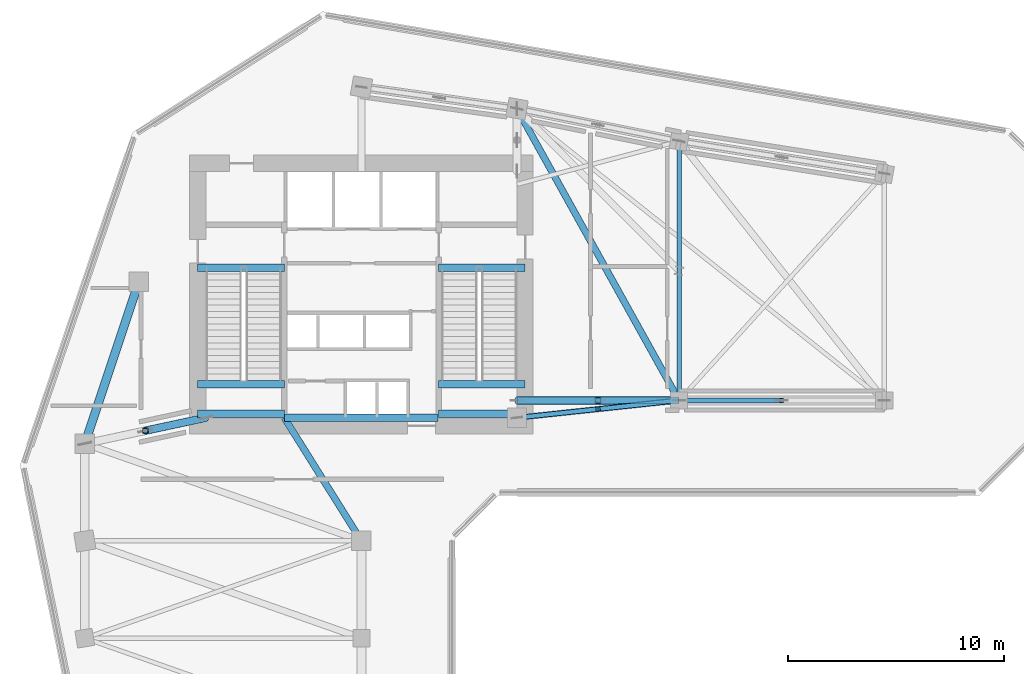
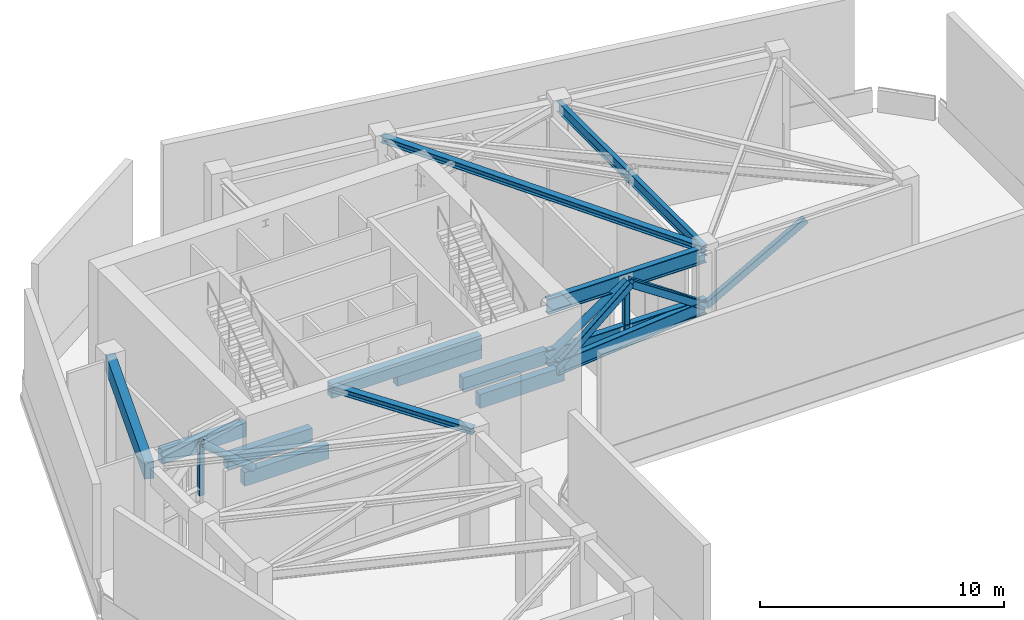
# One storey, part 2 of 10: 14 beams, 8 members.
"""IFC4 building model written with IfcOpenShell, lengths in metres."""

from ifc_helpers import new_model, si_unit, direction, frame, origin, origin_2d, place, context, subcontext, project, spatial, rectangle, hollow_rectangle, hollow_circle, i_section, extrude, source, transform, mapped, material, material_profile, profile_set, type_object, element, save


model = new_model("IFC4")

# Units and contexts
model_context = context("Model", 3, precision=1e-05, world=origin(), true_north=direction((0.0, 1.0)))
body_context = subcontext(model_context, "Body", "Model", "MODEL_VIEW")
ifc_project = project(units=[si_unit("LENGTHUNIT", "METRE"), si_unit("AREAUNIT", "SQUARE_METRE"), si_unit("VOLUMEUNIT", "CUBIC_METRE"), si_unit("PLANEANGLEUNIT", "RADIAN"), si_unit("MASSUNIT", "GRAM", prefix="KILO")], contexts=[model_context])

# Site, building, storey
site_placement = place(None, origin())
site = spatial("IfcSite", under=ifc_project, at=site_placement, CompositionType="ELEMENT")
building_placement = place(site_placement, origin())
building = spatial("IfcBuilding", under=site, at=building_placement, Name="Calvemar Wedge Station Tower", CompositionType="ELEMENT")
storey_placement = place(building_placement, frame((0.0, 0.0, 171.800048828125)))
storey = spatial("IfcBuildingStorey", under=building, at=storey_placement, Name="L43", CompositionType="ELEMENT", Elevation=171.800048828125)

# Beams
ifc_material_1 = material(Name="Concrete C60", Category="concrete")
ifc_material_profile_1 = material_profile(ifc_material_1, rectangle(XDim=0.39990234375, YDim=0.85009765625, at=origin_2d()), Name="RC400x850")
ifc_profile_set_1 = profile_set([ifc_material_profile_1], Name="Concrete C60")
beam_type_1 = type_object("IfcBeamType", Name="BM-SP1-850", PredefinedType="SPANDREL", material=ifc_profile_set_1)
shared_shape_1 = source(origin(), body_context, "Body", "SweptSolid", [
    extrude(rectangle(XDim=0.39990234375, YDim=0.85009765625, at=origin_2d()), origin(), (0.0, 0.0, 1.0), 7.90576171875),
])
beam_1_placement = place(storey_placement, frame((11.0, 33.0, 5.675048828125), z_axis=(0.316227766017, 0.948683298051, 0.0), x_axis=(-0.948683298051, 0.316227766017, 0.0)))
element("IfcBeam", 1, at=beam_1_placement, inside=storey, type_object=beam_type_1, Name="Storey L43 Spandrel T-NW1-T-NW2", PredefinedType="SPANDREL", context=body_context, shape_type="MappedRepresentation", body=[
    mapped(shared_shape_1, transform((0.0, 0.0, 0.0), scale=1.0)),
])
ifc_material_2 = material(Name="Concrete C70", Category="concrete")
ifc_material_profile_2 = material_profile(ifc_material_2, rectangle(XDim=0.35009765625, YDim=0.699951171875, at=origin_2d()), Name="RC350x700")
ifc_profile_set_2 = profile_set([ifc_material_profile_2], Name="Concrete C70")
beam_type_2 = type_object("IfcBeamType", Name="BM-LN1-700", PredefinedType="LINTEL", material=ifc_profile_set_2)
shared_shape_2 = source(origin(), body_context, "Body", "SweptSolid", [
    extrude(rectangle(XDim=0.35009765625, YDim=0.699951171875, at=origin_2d()), origin(), (0.0, 0.0, 1.0), 7.10009765625),
])
beam_2_placement = place(storey_placement, frame((20.25, 34.199951171875, 5.75), z_axis=(1.0, 0.0, 0.0), x_axis=(0.0, 1.0, 0.0)))
element("IfcBeam", 2, at=beam_2_placement, inside=storey, type_object=beam_type_2, Name="Storey L43 Core Coupling Lintel South", PredefinedType="LINTEL", context=body_context, shape_type="MappedRepresentation", body=[
    mapped(shared_shape_2, transform((0.0, 0.0, 0.0), scale=1.0)),
])
ifc_material_3 = material(Name="Structural steel ASTM A572 Grade 50", Category="steel")
ifc_material_profile_3 = material_profile(ifc_material_3, i_section(OverallWidth=0.30908203125, OverallDepth=0.322998046875, WebThickness=0.013916015625, FlangeThickness=0.02294921875, FilletRadius=0.014892578125, at=origin_2d()), Name="W310x143")
ifc_profile_set_3 = profile_set([ifc_material_profile_3], Name="Structural steel ASTM A572 Grade 50")
beam_type_3 = type_object("IfcBeamType", Name="BM-J5-W310H", PredefinedType="JOIST", material=ifc_profile_set_3)
shared_shape_3 = source(origin(), body_context, "Body", "SweptSolid", [
    extrude(i_section(OverallWidth=0.30908203125, OverallDepth=0.322998046875, WebThickness=0.013916015625, FlangeThickness=0.02294921875, FilletRadius=0.014892578125, at=origin_2d()), origin(), (0.0, 0.0, 1.0), 15.443359375),
])
beam_3_placement = place(storey_placement, frame((31.0, 48.5, 5.9384765625), z_axis=(0.485642931179, -0.874157276122, 0.0), x_axis=(0.874157276122, 0.485642931179, 0.0)))
element("IfcBeam", 3, at=beam_3_placement, inside=storey, type_object=beam_type_3, Name="Storey L43 Floor Beam T-N2-T-NL2", PredefinedType="JOIST", context=body_context, shape_type="MappedRepresentation", body=[
    mapped(shared_shape_3, transform((0.0, 0.0, 0.0), scale=1.0)),
])
shared_shape_4 = source(origin(), body_context, "Body", "SweptSolid", [
    extrude(i_section(OverallWidth=0.30908203125, OverallDepth=0.322998046875, WebThickness=0.013916015625, FlangeThickness=0.02294921875, FilletRadius=0.014892578125, at=origin_2d()), origin(), (0.0, 0.0, 1.0), 6.7255859375),
])
beam_4_placement = place(storey_placement, frame((20.22998046875, 34.199951171875, 5.9384765625), z_axis=(0.530811158438, -0.847490126242, 0.0), x_axis=(0.847490126242, 0.530811158438, 0.0)))
element("IfcBeam", 4, at=beam_4_placement, inside=storey, type_object=beam_type_3, Name="Storey L43 Core-to-Column Joist CJ-S2", PredefinedType="JOIST", context=body_context, shape_type="MappedRepresentation", body=[
    mapped(shared_shape_4, transform((0.0, 0.0, 0.0), scale=1.0)),
])
ifc_material_profile_4 = material_profile(ifc_material_3, i_section(OverallWidth=0.27001953125, OverallDepth=0.77294921875, WebThickness=0.018798828125, FlangeThickness=0.0322265625, FilletRadius=0.01806640625, at=origin_2d()), Name="W760x257")
ifc_profile_set_4 = profile_set([ifc_material_profile_4], Name="Structural steel ASTM A572 Grade 50")
beam_type_4 = type_object("IfcBeamType", Name="BM-OT1-W760", PredefinedType="BEAM", material=ifc_profile_set_4)
shared_shape_5 = source(origin(), body_context, "Body", "SweptSolid", [
    extrude(i_section(OverallWidth=0.27001953125, OverallDepth=0.77294921875, WebThickness=0.018798828125, FlangeThickness=0.0322265625, FilletRadius=0.01806640625, at=origin_2d()), origin(), (0.0, 0.0, 1.0), 7.5),
])
for number, where, z_axis, x_axis, name in (
    (5, (31.0, 35.0, 3.136474609375), (1.0, 0.0, 0.0), (0.0, 1.0, 0.0), "L43 Outrigger OT-E Bottom Chord"),
    (6, (31.0, 35.0, 5.71337890625), (1.0, 0.0, 0.0), (0.0, 1.0, 0.0), "L43 Outrigger OT-E Top Chord"),
):
    element("IfcBeam", number, at=place(storey_placement, frame(where, z_axis=z_axis, x_axis=x_axis)), inside=storey, type_object=beam_type_4, Name=name, PredefinedType="BEAM", context=body_context, shape_type="MappedRepresentation", body=[
        mapped(shared_shape_5, transform((0.0, 0.0, 0.0), scale=1.0)),
    ])
ifc_material_profile_5 = material_profile(ifc_material_3, i_section(OverallWidth=0.25390625, OverallDepth=0.68798828125, WebThickness=0.015380859375, FlangeThickness=0.02783203125, FilletRadius=0.014892578125, at=origin_2d()), Name="W690x192")
ifc_profile_set_5 = profile_set([ifc_material_profile_5], Name="Structural steel ASTM A572 Grade 50")
beam_type_5 = type_object("IfcBeamType", Name="BM-BT1-W690", PredefinedType="BEAM", material=ifc_profile_set_5)
shared_shape_6 = source(origin(), body_context, "Body", "SweptSolid", [
    extrude(i_section(OverallWidth=0.25390625, OverallDepth=0.68798828125, WebThickness=0.015380859375, FlangeThickness=0.02783203125, FilletRadius=0.014892578125, at=origin_2d()), origin(), (0.0, 0.0, 1.0), 7.54248046875),
])
beam_5_placement = place(storey_placement, frame((31.0, 34.199951171875, 3.093994140625), z_axis=(0.994358517773, 0.106071382251, 0.0), x_axis=(-0.106071382251, 0.994358517773, 0.0)))
element("IfcBeam", 7, at=beam_5_placement, inside=storey, type_object=beam_type_5, Name="L43 Belt Truss Bottom Chord 4", PredefinedType="BEAM", context=body_context, shape_type="MappedRepresentation", body=[
    mapped(shared_shape_6, transform((0.0, 0.0, 0.0), scale=1.0)),
])

# Member
ifc_material_profile_6 = material_profile(ifc_material_3, hollow_rectangle(XDim=0.25, YDim=0.35009765625, WallThickness=0.01611328125, InnerFilletRadius=0.01611328125, OuterFilletRadius=0.031982421875, at=origin_2d()), Name="HSS350x250x16")
ifc_profile_set_6 = profile_set([ifc_material_profile_6], Name="Structural steel ASTM A572 Grade 50")
member_type_1 = type_object("IfcMemberType", Name="MEM-D7-HSS350", PredefinedType="BRACE", material=ifc_profile_set_6)
shared_shape_7 = source(origin(), body_context, "Body", "SweptSolid", [
    extrude(hollow_rectangle(XDim=0.25, YDim=0.35009765625, WallThickness=0.01611328125, InnerFilletRadius=0.01611328125, OuterFilletRadius=0.031982421875, at=origin_2d()), origin(), (0.0, 0.0, 1.0), 5.445068359375),
])
member_1_placement = place(storey_placement, frame((38.5, 35.0, 3.093994140625), z_axis=(0.872359940819, 0.0, 0.488864125964), x_axis=(0.0, 1.0, 0.0)))
element("IfcMember", 8, at=member_1_placement, inside=storey, type_object=member_type_1, Name="L43 Belt Truss Chevron 5A", PredefinedType="BRACE", context=body_context, shape_type="MappedRepresentation", body=[
    mapped(shared_shape_7, transform((0.0, 0.0, 0.0), scale=1.0)),
])

# Beams
shared_shape_8 = source(origin(), body_context, "Body", "SweptSolid", [
    extrude(rectangle(XDim=0.35009765625, YDim=0.699951171875, at=origin_2d()), origin(), (0.0, 0.0, 1.0), 4.0048828125),
])
for number, where, z_axis, x_axis, name in (
    (9, (16.22509765625, 41.14990234375, -0.35009765625), (1.0, 0.0, 0.0), (0.0, 1.0, 0.0), "Storey L43 Stair ST-C1 Landing Trimmer Beam"),
    (10, (27.3701171875, 41.14990234375, -0.35009765625), (1.0, 0.0, 0.0), (0.0, 1.0, 0.0), "Storey L43 Stair ST-C2 Landing Trimmer Beam"),
    (11, (16.22509765625, 34.3798828125, 2.64990234375), (1.0, 0.0, 0.0), (0.0, 1.0, 0.0), "Storey L43 Stair ST-C1 Half-Landing Beam 1A"),
    (12, (16.22509765625, 35.75, 2.64990234375), (1.0, 0.0, 0.0), (0.0, 1.0, 0.0), "Storey L43 Stair ST-C1 Half-Landing Beam 1B"),
    (13, (27.3701171875, 34.3798828125, 2.64990234375), (1.0, 0.0, 0.0), (0.0, 1.0, 0.0), "Storey L43 Stair ST-C2 Half-Landing Beam 1A"),
    (14, (27.3701171875, 35.75, 2.64990234375), (1.0, 0.0, 0.0), (0.0, 1.0, 0.0), "Storey L43 Stair ST-C2 Half-Landing Beam 1B"),
):
    element("IfcBeam", number, at=place(storey_placement, frame(where, z_axis=z_axis, x_axis=x_axis)), inside=storey, type_object=beam_type_2, Name=name, PredefinedType="LINTEL", context=body_context, shape_type="MappedRepresentation", body=[
        mapped(shared_shape_8, transform((0.0, 0.0, 0.0), scale=1.0)),
    ])
ifc_material_profile_7 = material_profile(ifc_material_3, i_section(OverallWidth=0.2109375, OverallDepth=0.5390625, WebThickness=0.01171875, FlangeThickness=0.018798828125, FilletRadius=0.012939453125, at=origin_2d()), Name="W530x109")
ifc_profile_set_7 = profile_set([ifc_material_profile_7], Name="Structural steel ASTM A572 Grade 50")
beam_type_6 = type_object("IfcBeamType", Name="BM-SB4-W530", PredefinedType="BEAM", material=ifc_profile_set_7)
shared_shape_9 = source(origin(), body_context, "Body", "SweptSolid", [
    extrude(i_section(OverallWidth=0.2109375, OverallDepth=0.5390625, WebThickness=0.01171875, FlangeThickness=0.018798828125, FilletRadius=0.012939453125, at=origin_2d()), origin(), (0.0, 0.0, 1.0), 12.0),
])
beam_6_placement = place(storey_placement, frame((38.5, 47.0, 5.83056640625), z_axis=(0.0, -1.0, 0.0), x_axis=(1.0, 0.0, 0.0)))
element("IfcBeam", 15, at=beam_6_placement, inside=storey, type_object=beam_type_6, Name="Storey L43 Floor Beam T-NU3-T-NL2", PredefinedType="BEAM", context=body_context, shape_type="MappedRepresentation", body=[
    mapped(shared_shape_9, transform((0.0, 0.0, 0.0), scale=1.0)),
])

# Members
ifc_material_profile_8 = material_profile(ifc_material_3, hollow_circle(Radius=0.177734375, WallThickness=0.02001953125, at=origin_2d()), Name="CHS355.6x20")
ifc_profile_set_8 = profile_set([ifc_material_profile_8], Name="Structural steel ASTM A572 Grade 50")
member_type_2 = type_object("IfcMemberType", Name="MEM-D4-CHS355", PredefinedType="BRACE", material=ifc_profile_set_8)
shared_shape_10 = source(origin(), body_context, "Body", "SweptSolid", [
    extrude(hollow_circle(Radius=0.177734375, WallThickness=0.02001953125, at=origin_2d()), origin(), (0.0, 0.0, 1.0), 4.550048828125),
])
for number, where, z_axis, x_axis, name in (
    (16, (31.0, 35.0, 3.136474609375), (0.824167150507, 0.0, 0.566346632396), (0.0, 1.0, 0.0), "L43 Outrigger OT-E Diagonal 1"),
    (17, (34.75, 35.0, 5.71337890625), (0.824167150507, 0.0, -0.566346632396), (0.0, 1.0, 0.0), "L43 Outrigger OT-E Diagonal 2"),
):
    element("IfcMember", number, at=place(storey_placement, frame(where, z_axis=z_axis, x_axis=x_axis)), inside=storey, type_object=member_type_2, Name=name, PredefinedType="BRACE", context=body_context, shape_type="MappedRepresentation", body=[
        mapped(shared_shape_10, transform((0.0, 0.0, 0.0), scale=1.0)),
    ])
ifc_material_profile_9 = material_profile(ifc_material_3, hollow_rectangle(XDim=0.25, YDim=0.25, WallThickness=0.01611328125, InnerFilletRadius=0.01611328125, OuterFilletRadius=0.031982421875, at=origin_2d()), Name="HSS250x250x16")
ifc_profile_set_9 = profile_set([ifc_material_profile_9], Name="Structural steel ASTM A572 Grade 50")
member_type_3 = type_object("IfcMemberType", Name="MEM-ST2-HSS250", PredefinedType="STRUT", material=ifc_profile_set_9)
shared_shape_11 = source(origin(), body_context, "Body", "SweptSolid", [
    extrude(hollow_rectangle(XDim=0.25, YDim=0.25, WallThickness=0.01611328125, InnerFilletRadius=0.01611328125, OuterFilletRadius=0.031982421875, at=origin_2d()), origin(), (0.0, 0.0, 1.0), 2.576904296875),
])
for number, where, z_axis, x_axis, name in (
    (18, (34.75, 35.0, 3.136474609375), (0.0, 0.0, 1.0), (1.0, 0.0, 0.0), "L43 Outrigger OT-E Strut"),
    (19, (13.800048828125, 33.60009765625, 3.136474609375), (0.0, 0.0, 1.0), (1.0, 0.0, 0.0), "L43 Outrigger OT-W Strut"),
):
    element("IfcMember", number, at=place(storey_placement, frame(where, z_axis=z_axis, x_axis=x_axis)), inside=storey, type_object=member_type_3, Name=name, PredefinedType="STRUT", context=body_context, shape_type="MappedRepresentation", body=[
        mapped(shared_shape_11, transform((0.0, 0.0, 0.0), scale=1.0)),
    ])
shared_shape_12 = source(origin(), body_context, "Body", "SweptSolid", [
    extrude(hollow_circle(Radius=0.177734375, WallThickness=0.02001953125, at=origin_2d()), origin(), (0.0, 0.0, 1.0), 3.852294921875),
])
member_2_placement = place(storey_placement, frame((16.60009765625, 34.199951171875, 3.136474609375), z_axis=(-0.726843396103, -0.155711415487, 0.66891900304), x_axis=(0.209476686507, -0.977813641657, 0.0)))
element("IfcMember", 20, at=member_2_placement, inside=storey, type_object=member_type_2, Name="L43 Outrigger OT-W Diagonal 1", PredefinedType="BRACE", context=body_context, shape_type="MappedRepresentation", body=[
    mapped(shared_shape_12, transform((0.0, 0.0, 0.0), scale=1.0)),
])
shared_shape_13 = source(origin(), body_context, "Body", "SweptSolid", [
    extrude(hollow_rectangle(XDim=0.25, YDim=0.35009765625, WallThickness=0.01611328125, InnerFilletRadius=0.01611328125, OuterFilletRadius=0.031982421875, at=origin_2d()), origin(), (0.0, 0.0, 1.0), 4.615966796875),
])
for number, where, z_axis, x_axis, name in (
    (21, (31.0, 34.199951171875, 3.093994140625), (0.812378570754, 0.086685447752, 0.576651273238), (-0.106103386345, 0.994355103273, 0.0), "L43 Belt Truss Chevron 4A"),
    (22, (34.75, 34.60009765625, 5.755859375), (0.812382294177, 0.08663295559, -0.576653916238), (-0.106039377826, 0.994361931266, 0.0), "L43 Belt Truss Chevron 4B"),
):
    element("IfcMember", number, at=place(storey_placement, frame(where, z_axis=z_axis, x_axis=x_axis)), inside=storey, type_object=member_type_1, Name=name, PredefinedType="BRACE", context=body_context, shape_type="MappedRepresentation", body=[
        mapped(shared_shape_13, transform((0.0, 0.0, 0.0), scale=1.0)),
    ])

save(model, "model.ifc")
